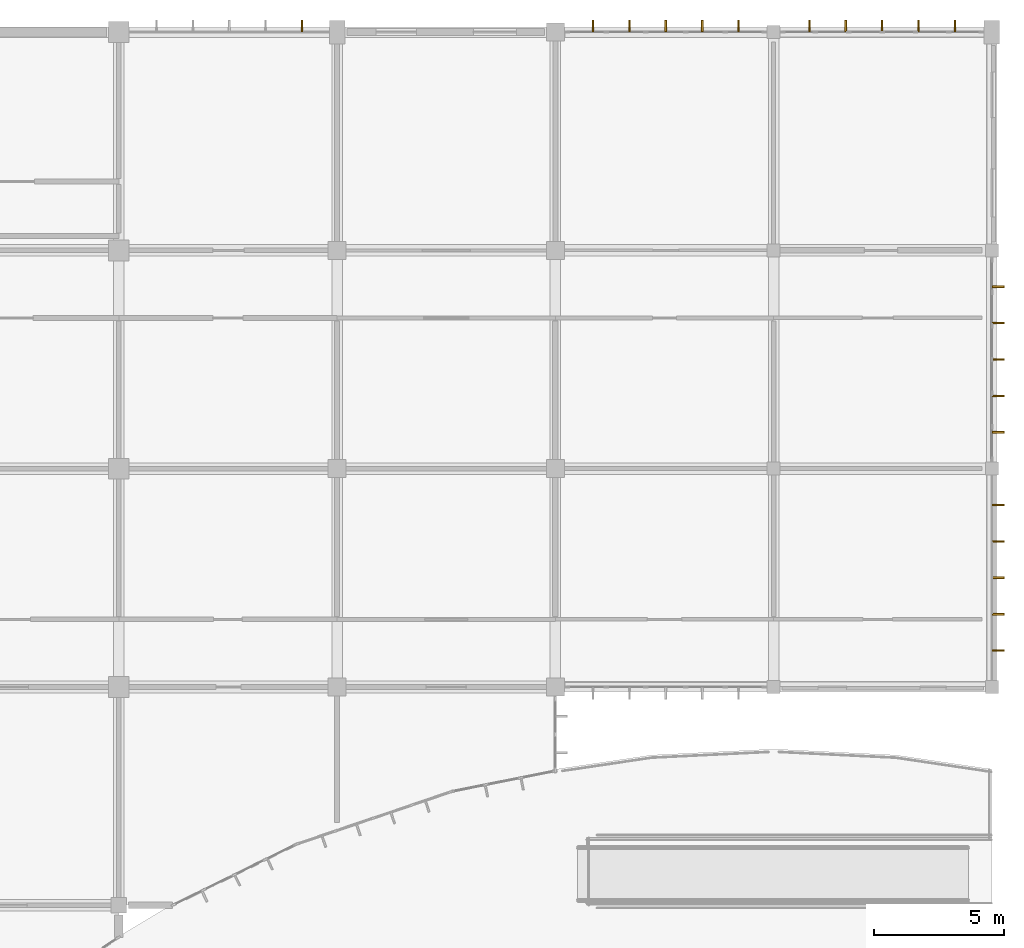
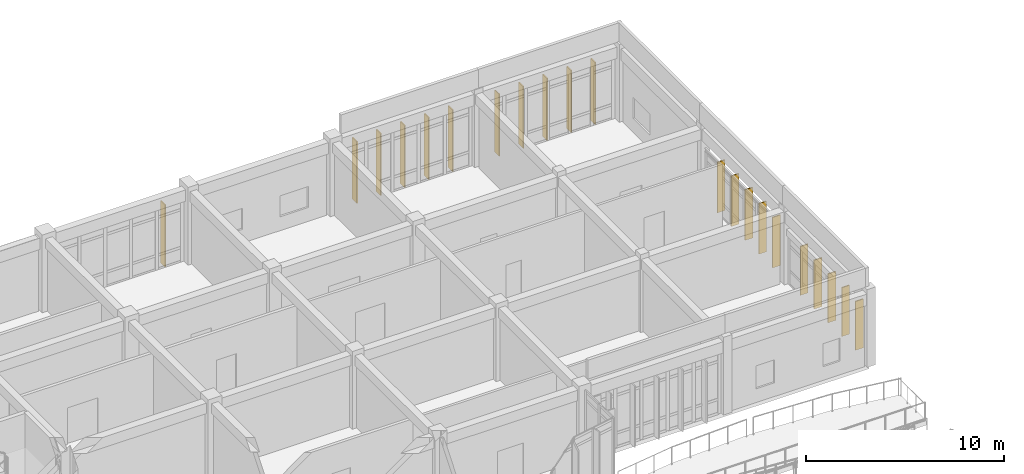
# One storey, part 138 of 138: 21 shading devices.
"""IFC4 building model written with IfcOpenShell, lengths in metres."""

from ifc_helpers import new_model, si_unit, direction, frame, origin, origin_2d, place, context, subcontext, project, spatial, rectangle, extrude, material, material_profile, profile_set, type_object, element, save


model = new_model("IFC4")

# Units and contexts
model_context = context("Model", 3, precision=1e-05, world=origin(), true_north=direction((0.0, 1.0)))
body_context = subcontext(model_context, "Body", "Model", "MODEL_VIEW")
ifc_project = project(units=[si_unit("LENGTHUNIT", "METRE"), si_unit("AREAUNIT", "SQUARE_METRE"), si_unit("VOLUMEUNIT", "CUBIC_METRE"), si_unit("PLANEANGLEUNIT", "RADIAN"), si_unit("MASSUNIT", "GRAM", prefix="KILO")], contexts=[model_context])

# Site, building, storey
site_placement = place(None, origin())
site = spatial("IfcSite", under=ifc_project, at=site_placement, CompositionType="ELEMENT")
building_placement = place(site_placement, origin())
building = spatial("IfcBuilding", under=site, at=building_placement, Name="Bramfleet General Hospital", CompositionType="ELEMENT")
storey_placement = place(building_placement, origin())
storey = spatial("IfcBuildingStorey", under=building, at=storey_placement, Name="L00", CompositionType="ELEMENT", Elevation=0.0)

# Shading devices
ifc_material = material(Name="Treated European larch timber", Category="wood")
ifc_material_profile = material_profile(ifc_material, rectangle(XDim=0.06494140625, YDim=0.449951171875, at=origin_2d()), Name="LARCH FIN 450x65")
ifc_profile_set = profile_set([ifc_material_profile], Name="Treated European larch timber")
shading_device_type = type_object("IfcShadingDeviceType", Name="SHD-FIN-450", PredefinedType="USERDEFINED", material=ifc_profile_set)
for number, where, z_axis, x_axis, name in (
    (1, (158.25, 117.840087890625, -0.02001953125), (0.0, 0.0, 1.0), (1.0, 0.0, 0.0), "L00 Larch Timber Shading Fin 20"),
    (2, (169.449951171875, 117.840087890625, -0.02001953125), (0.0, 0.0, 1.0), (1.0, 0.0, 0.0), "L00 Larch Timber Shading Fin 21"),
    (3, (170.85009765625, 117.840087890625, -0.02001953125), (0.0, 0.0, 1.0), (1.0, 0.0, 0.0), "L00 Larch Timber Shading Fin 22"),
    (4, (172.25, 117.840087890625, -0.02001953125), (0.0, 0.0, 1.0), (1.0, 0.0, 0.0), "L00 Larch Timber Shading Fin 23"),
    (5, (173.64990234375, 117.840087890625, -0.02001953125), (0.0, 0.0, 1.0), (1.0, 0.0, 0.0), "L00 Larch Timber Shading Fin 24"),
    (6, (175.050048828125, 117.840087890625, -0.02001953125), (0.0, 0.0, 1.0), (1.0, 0.0, 0.0), "L00 Larch Timber Shading Fin 25"),
    (7, (177.77490234375, 117.840087890625, -0.02001953125), (0.0, 0.0, 1.0), (1.0, 0.0, 0.0), "L00 Larch Timber Shading Fin 26"),
    (8, (179.175048828125, 117.840087890625, -0.02001953125), (0.0, 0.0, 1.0), (1.0, 0.0, 0.0), "L00 Larch Timber Shading Fin 27"),
    (9, (180.574951171875, 117.840087890625, -0.02001953125), (0.0, 0.0, 1.0), (1.0, 0.0, 0.0), "L00 Larch Timber Shading Fin 28"),
    (10, (181.97509765625, 117.840087890625, -0.02001953125), (0.0, 0.0, 1.0), (1.0, 0.0, 0.0), "L00 Larch Timber Shading Fin 29"),
    (11, (183.375, 117.840087890625, -0.02001953125), (0.0, 0.0, 1.0), (1.0, 0.0, 0.0), "L00 Larch Timber Shading Fin 30"),
):
    element("IfcShadingDevice", number, at=place(storey_placement, frame(where, z_axis=z_axis, x_axis=x_axis)), inside=storey, type_object=shading_device_type, Name=name, ObjectType="Fin", PredefinedType="USERDEFINED", context=body_context, shape_type="SweptSolid", body=[
        extrude(rectangle(XDim=0.06494140625, YDim=0.449951171875, at=origin_2d()), origin(), (0.0, 0.0, 1.0), 3.820068359375),
    ])
for number, where, z_axis, x_axis, name in (
    (12, (185.0400390625, 107.800048828125, -0.02001953125), (0.0, 0.0, 1.0), (0.0, -1.0, 0.0), "L00 Larch Timber Shading Fin 31"),
    (13, (185.0400390625, 106.39990234375, -0.02001953125), (0.0, 0.0, 1.0), (0.0, -1.0, 0.0), "L00 Larch Timber Shading Fin 32"),
    (14, (185.0400390625, 105.0, -0.02001953125), (0.0, 0.0, 1.0), (0.0, -1.0, 0.0), "L00 Larch Timber Shading Fin 33"),
    (15, (185.0400390625, 103.60009765625, -0.02001953125), (0.0, 0.0, 1.0), (0.0, -1.0, 0.0), "L00 Larch Timber Shading Fin 34"),
    (16, (185.0400390625, 102.199951171875, -0.02001953125), (0.0, 0.0, 1.0), (0.0, -1.0, 0.0), "L00 Larch Timber Shading Fin 35"),
):
    element("IfcShadingDevice", number, at=place(storey_placement, frame(where, z_axis=z_axis, x_axis=x_axis)), inside=storey, type_object=shading_device_type, Name=name, ObjectType="Fin", PredefinedType="USERDEFINED", context=body_context, shape_type="SweptSolid", body=[
        extrude(rectangle(XDim=0.06494140625, YDim=0.449951171875, at=origin_2d()), origin(), (0.0, 0.0, 1.0), 3.1201171875),
    ])
for number, where, z_axis, x_axis, name in (
    (17, (185.0400390625, 99.39990234375, -0.02001953125), (0.0, 0.0, 1.0), (0.0, -1.0, 0.0), "L00 Larch Timber Shading Fin 36"),
    (18, (185.0400390625, 98.0, -0.02001953125), (0.0, 0.0, 1.0), (0.0, -1.0, 0.0), "L00 Larch Timber Shading Fin 37"),
    (19, (185.0400390625, 96.60009765625, -0.02001953125), (0.0, 0.0, 1.0), (0.0, -1.0, 0.0), "L00 Larch Timber Shading Fin 38"),
    (20, (185.0400390625, 95.199951171875, -0.02001953125), (0.0, 0.0, 1.0), (0.0, -1.0, 0.0), "L00 Larch Timber Shading Fin 39"),
    (21, (185.0400390625, 93.800048828125, -0.02001953125), (0.0, 0.0, 1.0), (0.0, -1.0, 0.0), "L00 Larch Timber Shading Fin 40"),
):
    element("IfcShadingDevice", number, at=place(storey_placement, frame(where, z_axis=z_axis, x_axis=x_axis)), inside=storey, type_object=shading_device_type, Name=name, ObjectType="Fin", PredefinedType="USERDEFINED", context=body_context, shape_type="SweptSolid", body=[
        extrude(rectangle(XDim=0.06494140625, YDim=0.449951171875, at=origin_2d()), origin(), (0.0, 0.0, 1.0), 3.02001953125),
    ])

save(model, "model.ifc")
